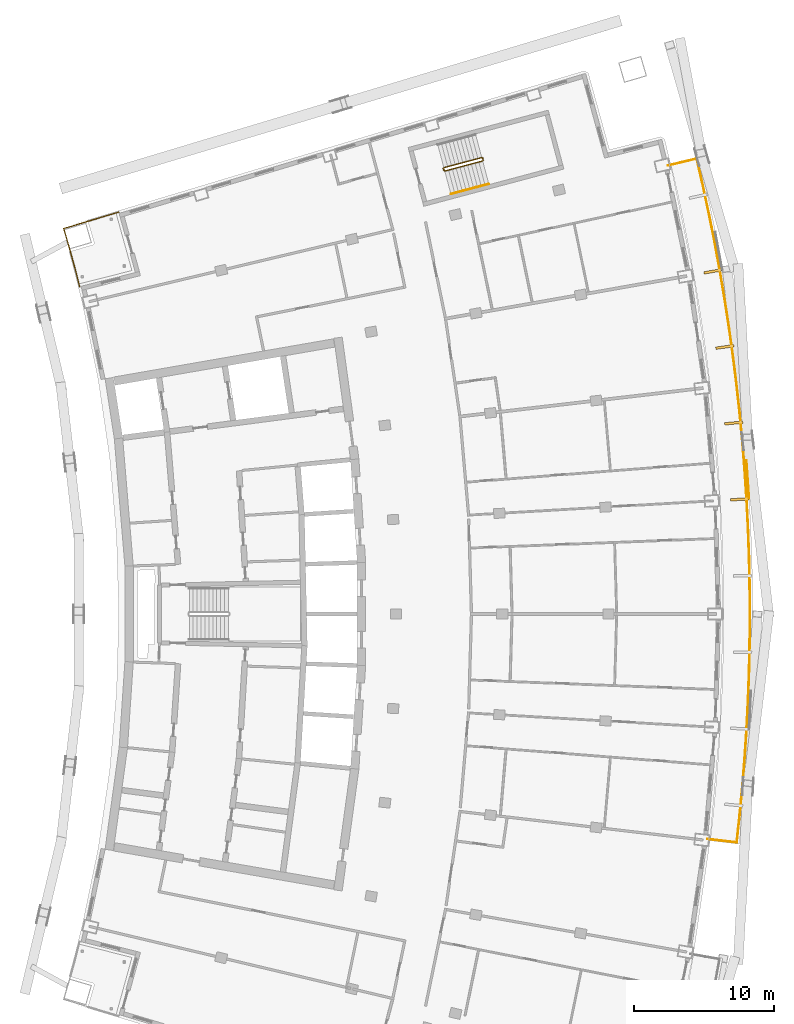
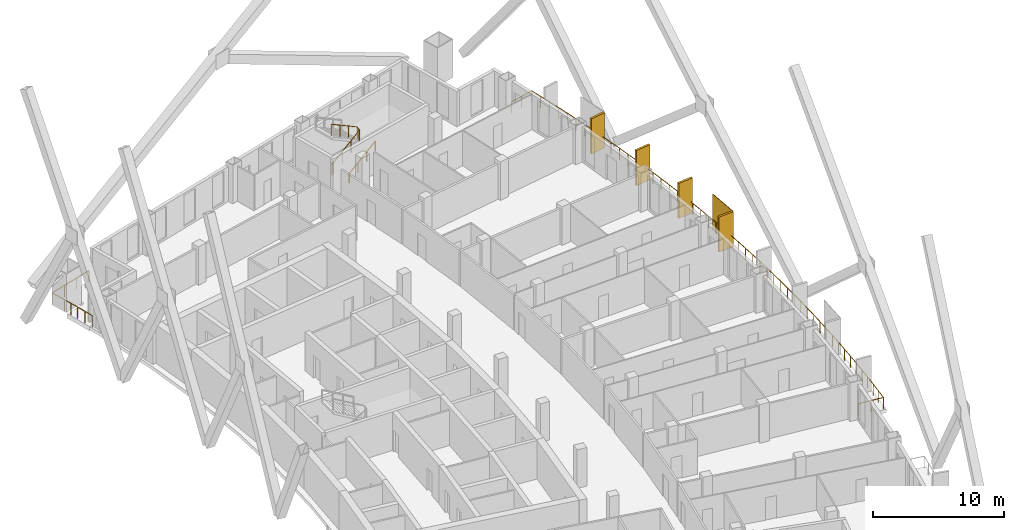
# One storey, part 19 of 20: 5 shading devices, 4 railings.
"""IFC4 building model written with IfcOpenShell, lengths in metres."""

from ifc_helpers import new_model, si_unit, direction, frame, origin, origin_2d, place, context, subcontext, project, spatial, rectangle, extrude, material, layer, layer_set, type_object, element, save


model = new_model("IFC4")

# Units and contexts
model_context = context("Model", 3, precision=1e-05, world=origin(), true_north=direction((0.0, 1.0)))
body_context = subcontext(model_context, "Body", "Model", "MODEL_VIEW")
ifc_project = project(units=[si_unit("LENGTHUNIT", "METRE"), si_unit("AREAUNIT", "SQUARE_METRE"), si_unit("VOLUMEUNIT", "CUBIC_METRE"), si_unit("PLANEANGLEUNIT", "RADIAN"), si_unit("MASSUNIT", "GRAM", prefix="KILO")], contexts=[model_context])

# Site, building, storey
site_placement = place(None, origin())
site = spatial("IfcSite", under=ifc_project, at=site_placement, CompositionType="ELEMENT")
building_placement = place(site_placement, origin())
building = spatial("IfcBuilding", under=site, at=building_placement, Name="Alderwake Tower", CompositionType="ELEMENT")
storey_placement = place(building_placement, frame((0.0, 0.0, 189.199951171875)))
storey = spatial("IfcBuildingStorey", under=building, at=storey_placement, Name="L46", CompositionType="ELEMENT", Elevation=189.199951171875)

# Railings
ifc_material_1 = material(Name="Stainless steel 316 rail and posts", Category="steel")
railing_type_1 = type_object("IfcRailingType", Name="Balcony guard 1100", PredefinedType="GUARDRAIL", material=ifc_material_1)
railing_1_placement = place(storey_placement, frame((58.06640625, 44.91796875, 0.0)))
element("IfcRailing", 1, at=railing_1_placement, inside=storey, type_object=railing_type_1, Name="Guard BF05", PredefinedType="GUARDRAIL", context=body_context, shape_type="SweptSolid", body=[
    extrude(rectangle(XDim=0.048095703125, YDim=0.048095703125, at=origin_2d()), frame((0.0, 0.0, 1.076171875), z_axis=(0.993287203457, -0.115674247125, 0.0), x_axis=(0.115674247125, 0.993287203457, 0.0)), (0.0, 0.0, 1.0), 2.10009765625),
    extrude(rectangle(XDim=0.048095703125, YDim=0.048095703125, at=origin_2d()), frame((2.0859375, -0.242919921875, 1.076171875), z_axis=(0.108871005933, 0.994055885787, 0.0), x_axis=(-0.994055885787, 0.108871005933, 0.0)), (0.0, 0.0, 1.0), 1.957763671875),
    extrude(rectangle(XDim=0.048095703125, YDim=0.048095703125, at=origin_2d()), frame((2.299072265625, 1.703125, 1.076171875), z_axis=(0.094685905036, 0.995507197055, 0.0), x_axis=(-0.995507197055, 0.094685905036, 0.0)), (0.0, 0.0, 1.0), 2.0576171875),
    extrude(rectangle(XDim=0.048095703125, YDim=0.048095703125, at=origin_2d()), frame((2.493896484375, 3.75146484375, 1.076171875), z_axis=(0.080080004355, 0.99678843939, 0.0), x_axis=(-0.99678843939, 0.080080004355, 0.0)), (0.0, 0.0, 1.0), 2.057861328125),
    extrude(rectangle(XDim=0.048095703125, YDim=0.048095703125, at=origin_2d()), frame((2.65869140625, 5.802734375, 1.076171875), z_axis=(0.065621128532, 0.997844610894, 0.0), x_axis=(-0.997844610894, 0.065621128532, 0.0)), (0.0, 0.0, 1.0), 2.057373046875),
    extrude(rectangle(XDim=0.048095703125, YDim=0.048095703125, at=origin_2d()), frame((2.793701171875, 7.855712890625, 1.076171875), z_axis=(0.051014504911, 0.998697912428, 0.0), x_axis=(-0.998697912428, 0.051014504911, 0.0)), (0.0, 0.0, 1.0), 2.057861328125),
    extrude(rectangle(XDim=0.048095703125, YDim=0.048095703125, at=origin_2d()), frame((2.898681640625, 9.910888671875, 1.076171875), z_axis=(0.036423636096, 0.99933643921, 0.0), x_axis=(-0.99933643921, 0.036423636096, 0.0)), (0.0, 0.0, 1.0), 2.057861328125),
    extrude(rectangle(XDim=0.048095703125, YDim=0.048095703125, at=origin_2d()), frame((2.9736328125, 11.96728515625, 1.076171875), z_axis=(0.021831965865, 0.999761654229, 0.0), x_axis=(-0.999761654229, 0.021831965865, 0.0)), (0.0, 0.0, 1.0), 2.0576171875),
    extrude(rectangle(XDim=0.048095703125, YDim=0.048095703125, at=origin_2d()), frame((3.0185546875, 14.0244140625, 1.076171875), z_axis=(0.007356231898, 0.99997294256, 0.0), x_axis=(-0.99997294256, 0.007356231898, 0.0)), (0.0, 0.0, 1.0), 2.0576171875),
    extrude(rectangle(XDim=0.048095703125, YDim=0.048095703125, at=origin_2d()), frame((3.03369140625, 16.08203125, 1.076171875), z_axis=(-0.007356231898, 0.99997294256, 0.0), x_axis=(-0.99997294256, -0.007356231898, 0.0)), (0.0, 0.0, 1.0), 2.0576171875),
    extrude(rectangle(XDim=0.048095703125, YDim=0.048095703125, at=origin_2d()), frame((3.0185546875, 18.1396484375, 1.076171875), z_axis=(-0.021831965865, 0.999761654229, 0.0), x_axis=(-0.999761654229, -0.021831965865, 0.0)), (0.0, 0.0, 1.0), 2.0576171875),
    extrude(rectangle(XDim=0.048095703125, YDim=0.048095703125, at=origin_2d()), frame((2.9736328125, 20.19677734375, 1.076171875), z_axis=(-0.036423636096, 0.99933643921, 0.0), x_axis=(-0.99933643921, -0.036423636096, 0.0)), (0.0, 0.0, 1.0), 2.057861328125),
    extrude(rectangle(XDim=0.048095703125, YDim=0.048095703125, at=origin_2d()), frame((2.898681640625, 22.253173828125, 1.076171875), z_axis=(-0.051014504911, 0.998697912428, 0.0), x_axis=(-0.998697912428, -0.051014504911, 0.0)), (0.0, 0.0, 1.0), 2.057861328125),
    extrude(rectangle(XDim=0.048095703125, YDim=0.048095703125, at=origin_2d()), frame((2.793701171875, 24.308349609375, 1.076171875), z_axis=(-0.065621128532, 0.997844610894, 0.0), x_axis=(-0.997844610894, -0.065621128532, 0.0)), (0.0, 0.0, 1.0), 2.057373046875),
    extrude(rectangle(XDim=0.048095703125, YDim=0.048095703125, at=origin_2d()), frame((2.65869140625, 26.361328125, 1.076171875), z_axis=(-0.080080004355, 0.99678843939, 0.0), x_axis=(-0.99678843939, -0.080080004355, 0.0)), (0.0, 0.0, 1.0), 2.057861328125),
    extrude(rectangle(XDim=0.048095703125, YDim=0.048095703125, at=origin_2d()), frame((2.493896484375, 28.41259765625, 1.076171875), z_axis=(-0.094685905036, 0.995507197055, 0.0), x_axis=(-0.995507197055, -0.094685905036, 0.0)), (0.0, 0.0, 1.0), 2.0576171875),
    extrude(rectangle(XDim=0.048095703125, YDim=0.048095703125, at=origin_2d()), frame((2.299072265625, 30.4609375, 1.076171875), z_axis=(-0.109155256142, 0.994024713001, 0.0), x_axis=(-0.994024713001, -0.109155256142, 0.0)), (0.0, 0.0, 1.0), 2.0576171875),
    extrude(rectangle(XDim=0.048095703125, YDim=0.048095703125, at=origin_2d()), frame((2.074462890625, 32.50634765625, 1.076171875), z_axis=(-0.123625862504, 0.992328900174, 0.0), x_axis=(-0.992328900174, -0.123625862504, 0.0)), (0.0, 0.0, 1.0), 2.057861328125),
    extrude(rectangle(XDim=0.048095703125, YDim=0.048095703125, at=origin_2d()), frame((1.820068359375, 34.54833984375, 1.076171875), z_axis=(-0.138114829641, 0.990416222521, 0.0), x_axis=(-0.990416222521, -0.138114829641, 0.0)), (0.0, 0.0, 1.0), 2.0576171875),
    extrude(rectangle(XDim=0.048095703125, YDim=0.048095703125, at=origin_2d()), frame((1.535888671875, 36.586181640625, 1.076171875), z_axis=(-0.152574252714, 0.988292010192, 0.0), x_axis=(-0.988292010192, -0.152574252714, 0.0)), (0.0, 0.0, 1.0), 2.057861328125),
    extrude(rectangle(XDim=0.048095703125, YDim=0.048095703125, at=origin_2d()), frame((1.221923828125, 38.619873046875, 1.076171875), z_axis=(-0.166938157328, 0.98596736844, 0.0), x_axis=(-0.98596736844, -0.166938157328, 0.0)), (0.0, 0.0, 1.0), 2.0576171875),
    extrude(rectangle(XDim=0.048095703125, YDim=0.048095703125, at=origin_2d()), frame((0.87841796875, 40.648681640625, 1.076171875), z_axis=(-0.181171488795, 0.983451519724, 0.0), x_axis=(-0.983451519724, -0.181171488795, 0.0)), (0.0, 0.0, 1.0), 2.0576171875),
    extrude(rectangle(XDim=0.048095703125, YDim=0.048095703125, at=origin_2d()), frame((0.505615234375, 42.67236328125, 1.076171875), z_axis=(-0.195659753975, 0.980671841481, 0.0), x_axis=(-0.980671841481, -0.195659753975, 0.0)), (0.0, 0.0, 1.0), 2.0576171875),
    extrude(rectangle(XDim=0.048095703125, YDim=0.048095703125, at=origin_2d()), frame((0.10302734375, 44.690185546875, 1.076171875), z_axis=(-0.209877477425, 0.977727694437, 0.0), x_axis=(-0.977727694437, -0.209877477425, 0.0)), (0.0, 0.0, 1.0), 2.057861328125),
    extrude(rectangle(XDim=0.048095703125, YDim=0.048095703125, at=origin_2d()), frame((-0.328857421875, 46.7021484375, 1.076171875), z_axis=(-0.223857490516, 0.974621887677, 0.0), x_axis=(-0.974621887677, -0.223857490516, 0.0)), (0.0, 0.0, 1.0), 1.95751953125),
    extrude(rectangle(XDim=0.048095703125, YDim=0.048095703125, at=origin_2d()), frame((-0.76708984375, 48.610107421875, 1.076171875), z_axis=(-0.973057638874, -0.230561990427, 0.0), x_axis=(0.230561990427, -0.973057638874, 0.0)), (0.0, 0.0, 1.0), 2.099853515625),
    extrude(rectangle(XDim=0.0419921875, YDim=0.0419921875, at=origin_2d()), frame((0.0, 0.0, 0.0), z_axis=(0.0, 0.0, 1.0), x_axis=(0.993287203457, -0.115674247125, 0.0)), (0.0, 0.0, 1.0), 1.052001953125),
    extrude(rectangle(XDim=0.0419921875, YDim=0.0419921875, at=origin_2d()), frame((1.04296875, -0.12158203125, 0.0), z_axis=(0.0, 0.0, 1.0), x_axis=(0.993287203457, -0.115674247125, 0.0)), (0.0, 0.0, 1.0), 1.052001953125),
    extrude(rectangle(XDim=0.0419921875, YDim=0.0419921875, at=origin_2d()), frame((2.0859375, -0.242919921875, 0.0), z_axis=(0.0, 0.0, 1.0), x_axis=(0.108871005933, 0.994055885787, 0.0)), (0.0, 0.0, 1.0), 1.052001953125),
    extrude(rectangle(XDim=0.0419921875, YDim=0.0419921875, at=origin_2d()), frame((2.1923828125, 0.72998046875, 0.0), z_axis=(0.0, 0.0, 1.0), x_axis=(0.108871005933, 0.994055885787, 0.0)), (0.0, 0.0, 1.0), 1.052001953125),
    extrude(rectangle(XDim=0.0419921875, YDim=0.0419921875, at=origin_2d()), frame((2.299072265625, 1.703125, 0.0), z_axis=(0.0, 0.0, 1.0), x_axis=(0.094685905036, 0.995507197055, 0.0)), (0.0, 0.0, 1.0), 1.052001953125),
    extrude(rectangle(XDim=0.0419921875, YDim=0.0419921875, at=origin_2d()), frame((2.396484375, 2.727294921875, 0.0), z_axis=(0.0, 0.0, 1.0), x_axis=(0.094685905036, 0.995507197055, 0.0)), (0.0, 0.0, 1.0), 1.052001953125),
    extrude(rectangle(XDim=0.0419921875, YDim=0.0419921875, at=origin_2d()), frame((2.493896484375, 3.75146484375, 0.0), z_axis=(0.0, 0.0, 1.0), x_axis=(0.080080004355, 0.99678843939, 0.0)), (0.0, 0.0, 1.0), 1.052001953125),
    extrude(rectangle(XDim=0.0419921875, YDim=0.0419921875, at=origin_2d()), frame((2.576171875, 4.777099609375, 0.0), z_axis=(0.0, 0.0, 1.0), x_axis=(0.080080004355, 0.99678843939, 0.0)), (0.0, 0.0, 1.0), 1.052001953125),
    extrude(rectangle(XDim=0.0419921875, YDim=0.0419921875, at=origin_2d()), frame((2.65869140625, 5.802734375, 0.0), z_axis=(0.0, 0.0, 1.0), x_axis=(0.065621128532, 0.997844610894, 0.0)), (0.0, 0.0, 1.0), 1.052001953125),
    extrude(rectangle(XDim=0.0419921875, YDim=0.0419921875, at=origin_2d()), frame((2.72607421875, 6.8291015625, 0.0), z_axis=(0.0, 0.0, 1.0), x_axis=(0.065621128532, 0.997844610894, 0.0)), (0.0, 0.0, 1.0), 1.052001953125),
    extrude(rectangle(XDim=0.0419921875, YDim=0.0419921875, at=origin_2d()), frame((2.793701171875, 7.855712890625, 0.0), z_axis=(0.0, 0.0, 1.0), x_axis=(0.051014504911, 0.998697912428, 0.0)), (0.0, 0.0, 1.0), 1.052001953125),
    extrude(rectangle(XDim=0.0419921875, YDim=0.0419921875, at=origin_2d()), frame((2.84619140625, 8.88330078125, 0.0), z_axis=(0.0, 0.0, 1.0), x_axis=(0.051014504911, 0.998697912428, 0.0)), (0.0, 0.0, 1.0), 1.052001953125),
    extrude(rectangle(XDim=0.0419921875, YDim=0.0419921875, at=origin_2d()), frame((2.898681640625, 9.910888671875, 0.0), z_axis=(0.0, 0.0, 1.0), x_axis=(0.036423636096, 0.99933643921, 0.0)), (0.0, 0.0, 1.0), 1.052001953125),
    extrude(rectangle(XDim=0.0419921875, YDim=0.0419921875, at=origin_2d()), frame((2.93603515625, 10.93896484375, 0.0), z_axis=(0.0, 0.0, 1.0), x_axis=(0.036423636096, 0.99933643921, 0.0)), (0.0, 0.0, 1.0), 1.052001953125),
    extrude(rectangle(XDim=0.0419921875, YDim=0.0419921875, at=origin_2d()), frame((2.9736328125, 11.96728515625, 0.0), z_axis=(0.0, 0.0, 1.0), x_axis=(0.021831965865, 0.999761654229, 0.0)), (0.0, 0.0, 1.0), 1.052001953125),
    extrude(rectangle(XDim=0.0419921875, YDim=0.0419921875, at=origin_2d()), frame((2.99609375, 12.995849609375, 0.0), z_axis=(0.0, 0.0, 1.0), x_axis=(0.021831965865, 0.999761654229, 0.0)), (0.0, 0.0, 1.0), 1.052001953125),
    extrude(rectangle(XDim=0.0419921875, YDim=0.0419921875, at=origin_2d()), frame((3.0185546875, 14.0244140625, 0.0), z_axis=(0.0, 0.0, 1.0), x_axis=(0.007356231898, 0.99997294256, 0.0)), (0.0, 0.0, 1.0), 1.052001953125),
    extrude(rectangle(XDim=0.0419921875, YDim=0.0419921875, at=origin_2d()), frame((3.026123046875, 15.05322265625, 0.0), z_axis=(0.0, 0.0, 1.0), x_axis=(0.007356231898, 0.99997294256, 0.0)), (0.0, 0.0, 1.0), 1.052001953125),
    extrude(rectangle(XDim=0.0419921875, YDim=0.0419921875, at=origin_2d()), frame((3.03369140625, 16.08203125, 0.0), z_axis=(0.0, 0.0, 1.0), x_axis=(-0.007356231898, 0.99997294256, 0.0)), (0.0, 0.0, 1.0), 1.052001953125),
    extrude(rectangle(XDim=0.0419921875, YDim=0.0419921875, at=origin_2d()), frame((3.026123046875, 17.11083984375, 0.0), z_axis=(0.0, 0.0, 1.0), x_axis=(-0.007356231898, 0.99997294256, 0.0)), (0.0, 0.0, 1.0), 1.052001953125),
    extrude(rectangle(XDim=0.0419921875, YDim=0.0419921875, at=origin_2d()), frame((3.0185546875, 18.1396484375, 0.0), z_axis=(0.0, 0.0, 1.0), x_axis=(-0.021831965865, 0.999761654229, 0.0)), (0.0, 0.0, 1.0), 1.052001953125),
    extrude(rectangle(XDim=0.0419921875, YDim=0.0419921875, at=origin_2d()), frame((2.99609375, 19.168212890625, 0.0), z_axis=(0.0, 0.0, 1.0), x_axis=(-0.021831965865, 0.999761654229, 0.0)), (0.0, 0.0, 1.0), 1.052001953125),
    extrude(rectangle(XDim=0.0419921875, YDim=0.0419921875, at=origin_2d()), frame((2.9736328125, 20.19677734375, 0.0), z_axis=(0.0, 0.0, 1.0), x_axis=(-0.036423636096, 0.99933643921, 0.0)), (0.0, 0.0, 1.0), 1.052001953125),
    extrude(rectangle(XDim=0.0419921875, YDim=0.0419921875, at=origin_2d()), frame((2.93603515625, 21.22509765625, 0.0), z_axis=(0.0, 0.0, 1.0), x_axis=(-0.036423636096, 0.99933643921, 0.0)), (0.0, 0.0, 1.0), 1.052001953125),
    extrude(rectangle(XDim=0.0419921875, YDim=0.0419921875, at=origin_2d()), frame((2.898681640625, 22.253173828125, 0.0), z_axis=(0.0, 0.0, 1.0), x_axis=(-0.051014504911, 0.998697912428, 0.0)), (0.0, 0.0, 1.0), 1.052001953125),
    extrude(rectangle(XDim=0.0419921875, YDim=0.0419921875, at=origin_2d()), frame((2.84619140625, 23.28076171875, 0.0), z_axis=(0.0, 0.0, 1.0), x_axis=(-0.051014504911, 0.998697912428, 0.0)), (0.0, 0.0, 1.0), 1.052001953125),
    extrude(rectangle(XDim=0.0419921875, YDim=0.0419921875, at=origin_2d()), frame((2.793701171875, 24.308349609375, 0.0), z_axis=(0.0, 0.0, 1.0), x_axis=(-0.065621128532, 0.997844610894, 0.0)), (0.0, 0.0, 1.0), 1.052001953125),
    extrude(rectangle(XDim=0.0419921875, YDim=0.0419921875, at=origin_2d()), frame((2.72607421875, 25.3349609375, 0.0), z_axis=(0.0, 0.0, 1.0), x_axis=(-0.065621128532, 0.997844610894, 0.0)), (0.0, 0.0, 1.0), 1.052001953125),
    extrude(rectangle(XDim=0.0419921875, YDim=0.0419921875, at=origin_2d()), frame((2.65869140625, 26.361328125, 0.0), z_axis=(0.0, 0.0, 1.0), x_axis=(-0.080080004355, 0.99678843939, 0.0)), (0.0, 0.0, 1.0), 1.052001953125),
    extrude(rectangle(XDim=0.0419921875, YDim=0.0419921875, at=origin_2d()), frame((2.576171875, 27.386962890625, 0.0), z_axis=(0.0, 0.0, 1.0), x_axis=(-0.080080004355, 0.99678843939, 0.0)), (0.0, 0.0, 1.0), 1.052001953125),
    extrude(rectangle(XDim=0.0419921875, YDim=0.0419921875, at=origin_2d()), frame((2.493896484375, 28.41259765625, 0.0), z_axis=(0.0, 0.0, 1.0), x_axis=(-0.094685905036, 0.995507197055, 0.0)), (0.0, 0.0, 1.0), 1.052001953125),
    extrude(rectangle(XDim=0.0419921875, YDim=0.0419921875, at=origin_2d()), frame((2.396484375, 29.436767578125, 0.0), z_axis=(0.0, 0.0, 1.0), x_axis=(-0.094685905036, 0.995507197055, 0.0)), (0.0, 0.0, 1.0), 1.052001953125),
    extrude(rectangle(XDim=0.0419921875, YDim=0.0419921875, at=origin_2d()), frame((2.299072265625, 30.4609375, 0.0), z_axis=(0.0, 0.0, 1.0), x_axis=(-0.109155256142, 0.994024713001, 0.0)), (0.0, 0.0, 1.0), 1.052001953125),
    extrude(rectangle(XDim=0.0419921875, YDim=0.0419921875, at=origin_2d()), frame((2.186767578125, 31.483642578125, 0.0), z_axis=(0.0, 0.0, 1.0), x_axis=(-0.109155256142, 0.994024713001, 0.0)), (0.0, 0.0, 1.0), 1.052001953125),
    extrude(rectangle(XDim=0.0419921875, YDim=0.0419921875, at=origin_2d()), frame((2.074462890625, 32.50634765625, 0.0), z_axis=(0.0, 0.0, 1.0), x_axis=(-0.123625862504, 0.992328900174, 0.0)), (0.0, 0.0, 1.0), 1.052001953125),
    extrude(rectangle(XDim=0.0419921875, YDim=0.0419921875, at=origin_2d()), frame((1.947265625, 33.52734375, 0.0), z_axis=(0.0, 0.0, 1.0), x_axis=(-0.123625862504, 0.992328900174, 0.0)), (0.0, 0.0, 1.0), 1.052001953125),
    extrude(rectangle(XDim=0.0419921875, YDim=0.0419921875, at=origin_2d()), frame((1.820068359375, 34.54833984375, 0.0), z_axis=(0.0, 0.0, 1.0), x_axis=(-0.138114829641, 0.990416222521, 0.0)), (0.0, 0.0, 1.0), 1.052001953125),
    extrude(rectangle(XDim=0.0419921875, YDim=0.0419921875, at=origin_2d()), frame((1.677978515625, 35.5673828125, 0.0), z_axis=(0.0, 0.0, 1.0), x_axis=(-0.138114829641, 0.990416222521, 0.0)), (0.0, 0.0, 1.0), 1.052001953125),
    extrude(rectangle(XDim=0.0419921875, YDim=0.0419921875, at=origin_2d()), frame((1.535888671875, 36.586181640625, 0.0), z_axis=(0.0, 0.0, 1.0), x_axis=(-0.152574252714, 0.988292010192, 0.0)), (0.0, 0.0, 1.0), 1.052001953125),
    extrude(rectangle(XDim=0.0419921875, YDim=0.0419921875, at=origin_2d()), frame((1.37890625, 37.60302734375, 0.0), z_axis=(0.0, 0.0, 1.0), x_axis=(-0.152574252714, 0.988292010192, 0.0)), (0.0, 0.0, 1.0), 1.052001953125),
    extrude(rectangle(XDim=0.0419921875, YDim=0.0419921875, at=origin_2d()), frame((1.221923828125, 38.619873046875, 0.0), z_axis=(0.0, 0.0, 1.0), x_axis=(-0.166938157328, 0.98596736844, 0.0)), (0.0, 0.0, 1.0), 1.052001953125),
    extrude(rectangle(XDim=0.0419921875, YDim=0.0419921875, at=origin_2d()), frame((1.05029296875, 39.63427734375, 0.0), z_axis=(0.0, 0.0, 1.0), x_axis=(-0.166938157328, 0.98596736844, 0.0)), (0.0, 0.0, 1.0), 1.052001953125),
    extrude(rectangle(XDim=0.0419921875, YDim=0.0419921875, at=origin_2d()), frame((0.87841796875, 40.648681640625, 0.0), z_axis=(0.0, 0.0, 1.0), x_axis=(-0.181171488795, 0.983451519724, 0.0)), (0.0, 0.0, 1.0), 1.052001953125),
    extrude(rectangle(XDim=0.0419921875, YDim=0.0419921875, at=origin_2d()), frame((0.69189453125, 41.66064453125, 0.0), z_axis=(0.0, 0.0, 1.0), x_axis=(-0.181171488795, 0.983451519724, 0.0)), (0.0, 0.0, 1.0), 1.052001953125),
    extrude(rectangle(XDim=0.0419921875, YDim=0.0419921875, at=origin_2d()), frame((0.505615234375, 42.67236328125, 0.0), z_axis=(0.0, 0.0, 1.0), x_axis=(-0.195659753975, 0.980671841481, 0.0)), (0.0, 0.0, 1.0), 1.052001953125),
    extrude(rectangle(XDim=0.0419921875, YDim=0.0419921875, at=origin_2d()), frame((0.30419921875, 43.68115234375, 0.0), z_axis=(0.0, 0.0, 1.0), x_axis=(-0.195659753975, 0.980671841481, 0.0)), (0.0, 0.0, 1.0), 1.052001953125),
    extrude(rectangle(XDim=0.0419921875, YDim=0.0419921875, at=origin_2d()), frame((0.10302734375, 44.690185546875, 0.0), z_axis=(0.0, 0.0, 1.0), x_axis=(-0.209877477425, 0.977727694437, 0.0)), (0.0, 0.0, 1.0), 1.052001953125),
    extrude(rectangle(XDim=0.0419921875, YDim=0.0419921875, at=origin_2d()), frame((-0.11279296875, 45.6962890625, 0.0), z_axis=(0.0, 0.0, 1.0), x_axis=(-0.209877477425, 0.977727694437, 0.0)), (0.0, 0.0, 1.0), 1.052001953125),
    extrude(rectangle(XDim=0.0419921875, YDim=0.0419921875, at=origin_2d()), frame((-0.328857421875, 46.7021484375, 0.0), z_axis=(0.0, 0.0, 1.0), x_axis=(-0.223857490516, 0.974621887677, 0.0)), (0.0, 0.0, 1.0), 1.052001953125),
    extrude(rectangle(XDim=0.0419921875, YDim=0.0419921875, at=origin_2d()), frame((-0.5478515625, 47.65625, 0.0), z_axis=(0.0, 0.0, 1.0), x_axis=(-0.223857490516, 0.974621887677, 0.0)), (0.0, 0.0, 1.0), 1.052001953125),
    extrude(rectangle(XDim=0.0419921875, YDim=0.0419921875, at=origin_2d()), frame((-0.76708984375, 48.610107421875, 0.0), z_axis=(0.0, 0.0, 1.0), x_axis=(-0.973057638874, -0.230561990427, 0.0)), (0.0, 0.0, 1.0), 1.052001953125),
    extrude(rectangle(XDim=0.0419921875, YDim=0.0419921875, at=origin_2d()), frame((-1.78857421875, 48.3681640625, 0.0), z_axis=(0.0, 0.0, 1.0), x_axis=(-0.973057638874, -0.230561990427, 0.0)), (0.0, 0.0, 1.0), 1.052001953125),
    extrude(rectangle(XDim=0.0419921875, YDim=0.0419921875, at=origin_2d()), frame((-2.810302734375, 48.1259765625, 0.0), z_axis=(0.0, 0.0, 1.0), x_axis=(-0.973057638874, -0.230561990427, 0.0)), (0.0, 0.0, 1.0), 1.052001953125),
])
railing_2_placement = place(storey_placement, frame((13.210693359375, 84.387451171875, 0.0)))
element("IfcRailing", 2, at=railing_2_placement, inside=storey, type_object=railing_type_1, Name="Guard terrace RN", PredefinedType="GUARDRAIL", context=body_context, shape_type="SweptSolid", body=[
    extrude(rectangle(XDim=0.048095703125, YDim=0.048095703125, at=origin_2d()), frame((0.0, 0.0, 1.076171875), z_axis=(-0.251385381433, 0.967887075026, 0.0), x_axis=(-0.967887075026, -0.251385381433, 0.0)), (0.0, 0.0, 1.0), 1.6015625),
    extrude(rectangle(XDim=0.048095703125, YDim=0.048095703125, at=origin_2d()), frame((-0.402587890625, 1.550048828125, 1.076171875), z_axis=(-0.266520638672, 0.963829211615, 0.0), x_axis=(-0.963829211615, -0.266520638672, 0.0)), (0.0, 0.0, 1.0), 1.401611328125),
    extrude(rectangle(XDim=0.048095703125, YDim=0.048095703125, at=origin_2d()), frame((-0.776123046875, 2.90087890625, 1.076171875), z_axis=(-0.280093650878, 0.959972680204, 0.0), x_axis=(-0.959972680204, -0.280093650878, 0.0)), (0.0, 0.0, 1.0), 1.30126953125),
    extrude(rectangle(XDim=0.048095703125, YDim=0.048095703125, at=origin_2d()), frame((-1.140625, 4.150146484375, 1.076171875), z_axis=(0.958066871889, 0.286544706789, 0.0), x_axis=(-0.286544706789, 0.958066871889, 0.0)), (0.0, 0.0, 1.0), 4.099853515625),
    extrude(rectangle(XDim=0.0419921875, YDim=0.0419921875, at=origin_2d()), frame((0.0, 0.0, 0.0), z_axis=(0.0, 0.0, 1.0), x_axis=(-0.251385381433, 0.967887075026, 0.0)), (0.0, 0.0, 1.0), 1.052001953125),
    extrude(rectangle(XDim=0.0419921875, YDim=0.0419921875, at=origin_2d()), frame((-0.201171875, 0.77490234375, 0.0), z_axis=(0.0, 0.0, 1.0), x_axis=(-0.251385381433, 0.967887075026, 0.0)), (0.0, 0.0, 1.0), 1.052001953125),
    extrude(rectangle(XDim=0.0419921875, YDim=0.0419921875, at=origin_2d()), frame((-0.402587890625, 1.550048828125, 0.0), z_axis=(0.0, 0.0, 1.0), x_axis=(-0.266520638672, 0.963829211615, 0.0)), (0.0, 0.0, 1.0), 1.052001953125),
    extrude(rectangle(XDim=0.0419921875, YDim=0.0419921875, at=origin_2d()), frame((-0.58935546875, 2.2255859375, 0.0), z_axis=(0.0, 0.0, 1.0), x_axis=(-0.266520638672, 0.963829211615, 0.0)), (0.0, 0.0, 1.0), 1.052001953125),
    extrude(rectangle(XDim=0.0419921875, YDim=0.0419921875, at=origin_2d()), frame((-0.776123046875, 2.90087890625, 0.0), z_axis=(0.0, 0.0, 1.0), x_axis=(-0.280093650878, 0.959972680204, 0.0)), (0.0, 0.0, 1.0), 1.052001953125),
    extrude(rectangle(XDim=0.0419921875, YDim=0.0419921875, at=origin_2d()), frame((-1.140625, 4.150146484375, 0.0), z_axis=(0.0, 0.0, 1.0), x_axis=(0.958066871889, 0.286544706789, 0.0)), (0.0, 0.0, 1.0), 1.052001953125),
    extrude(rectangle(XDim=0.0419921875, YDim=0.0419921875, at=origin_2d()), frame((0.168701171875, 4.541748046875, 0.0), z_axis=(0.0, 0.0, 1.0), x_axis=(0.958066871889, 0.286544706789, 0.0)), (0.0, 0.0, 1.0), 1.052001953125),
    extrude(rectangle(XDim=0.0419921875, YDim=0.0419921875, at=origin_2d()), frame((1.47802734375, 4.933349609375, 0.0), z_axis=(0.0, 0.0, 1.0), x_axis=(0.958066871889, 0.286544706789, 0.0)), (0.0, 0.0, 1.0), 1.052001953125),
    extrude(rectangle(XDim=0.0419921875, YDim=0.0419921875, at=origin_2d()), frame((2.787353515625, 5.324951171875, 0.0), z_axis=(0.0, 0.0, 1.0), x_axis=(0.958066871889, 0.286544706789, 0.0)), (0.0, 0.0, 1.0), 1.052001953125),
])

# Shading devices
ifc_material_2 = material(Name="Bronze anodised aluminium", Category="aluminium")
ifc_layer_1 = layer(ifc_material_2, 0.179931640625)
ifc_layer_set_1 = layer_set([ifc_layer_1], Name="Facade fin 1300")
shading_device_type_1 = type_object("IfcShadingDeviceType", Name="Facade fin 1300", PredefinedType="USERDEFINED", material=ifc_layer_set_1)
for number, where, z_axis, x_axis, name in (
    (3, (60.361083984375, 69.1923828125, 0.0), (0.0, 0.0, 1.0), (0.998301080988, 0.058266214038, 0.0), "Fin"),
    (4, (59.936279296875, 74.644775390625, 0.0), (0.0, 0.0, 1.0), (0.995279882363, 0.097046152751, 0.0), "Fin"),
    (5, (59.2998046875, 80.07666015625, 0.0), (0.0, 0.0, 1.0), (0.990752577235, 0.135680988728, 0.0), "Fin"),
    (6, (58.45263671875, 85.4794921875, 0.0), (0.0, 0.0, 1.0), (0.984726421654, 0.174108800747, 0.0), "Fin"),
):
    element("IfcShadingDevice", number, at=place(storey_placement, frame(where, z_axis=z_axis, x_axis=x_axis)), inside=storey, type_object=shading_device_type_1, Name=name, ObjectType="FIN", PredefinedType="USERDEFINED", context=body_context, shape_type="SweptSolid", body=[
        extrude(rectangle(XDim=1.300048828125, YDim=0.179931640625, at=origin_2d()), origin(), (0.0, 0.0, 1.0), 3.280029296875),
    ])
ifc_material_3 = material(Name="Perforated bronze anodised aluminium", Category="aluminium")
ifc_layer_2 = layer(ifc_material_3, 0.050048828125)
ifc_layer_set_2 = layer_set([ifc_layer_2], Name="Perforated screen panel")
shading_device_type_2 = type_object("IfcShadingDeviceType", Name="Perforated screen panel", PredefinedType="USERDEFINED", material=ifc_layer_set_2)
shading_device_placement = place(storey_placement, frame((60.94140625, 70.60595703125, 0.0), z_axis=(0.0, 0.0, 1.0), x_axis=(0.997685465774, 0.067997877779, 0.0)))
element("IfcShadingDevice", 7, at=shading_device_placement, inside=storey, type_object=shading_device_type_2, Name="Screen panel", ObjectType="SCREEN", PredefinedType="USERDEFINED", context=body_context, shape_type="SweptSolid", body=[
    extrude(rectangle(XDim=0.050048828125, YDim=2.7548828125, at=origin_2d()), origin(), (0.0, 0.0, 1.0), 3.280029296875),
])

# Railings
ifc_material_4 = material(Name="Stainless steel guard", Category="steel")
railing_type_2 = type_object("IfcRailingType", Name="Stair guard 1100", PredefinedType="GUARDRAIL", material=ifc_material_4)
railing_3_placement = place(storey_placement, frame((39.23291015625, 92.6806640625, 0.0)))
element("IfcRailing", 8, at=railing_3_placement, inside=storey, type_object=railing_type_2, Name="L46 ST-A stair guard 1", PredefinedType="GUARDRAIL", context=body_context, shape_type="SweptSolid", body=[
    extrude(rectangle(XDim=0.048095703125, YDim=0.048095703125, at=origin_2d()), frame((0.0, 0.0, 1.076171875), z_axis=(-0.257055032184, 0.966396766566, 0.0), x_axis=(-0.966396766566, -0.257055032184, 0.0)), (0.0, 0.0, 1.0), 0.150146484375),
    extrude(rectangle(XDim=0.048095703125, YDim=0.048095703125, at=origin_2d()), frame((-0.03857421875, 0.14501953125, 1.076171875), z_axis=(0.379370725808, -0.685464465458, 0.621463047167), x_axis=(0.874937996095, 0.484234966715, 0.0)), (0.0, 0.0, 1.0), 0.26318359375),
    extrude(rectangle(XDim=0.048095703125, YDim=0.048095703125, at=origin_2d()), frame((0.061279296875, -0.035400390625, 1.23974609375), z_axis=(0.834258940753, 0.22222815314, 0.504605457487), x_axis=(-0.257402139082, 0.966304371715, 0.0)), (0.0, 0.0, 1.0), 3.2431640625),
    extrude(rectangle(XDim=0.048095703125, YDim=0.048095703125, at=origin_2d()), frame((2.766845703125, 0.685302734375, 2.8759765625), z_axis=(0.500220121494, 0.865898279276, 0.0), x_axis=(-0.865898279276, 0.500220121494, 0.0)), (0.0, 0.0, 1.0), 0.07080078125),
    extrude(rectangle(XDim=0.048095703125, YDim=0.048095703125, at=origin_2d()), frame((2.80224609375, 0.74658203125, 2.8759765625), z_axis=(-0.257459803502, 0.966289009345, 0.0), x_axis=(-0.966289009345, -0.257459803502, 0.0)), (0.0, 0.0, 1.0), 0.14990234375),
    extrude(rectangle(XDim=0.048095703125, YDim=0.048095703125, at=origin_2d()), frame((2.763671875, 0.891357421875, 2.8759765625), z_axis=(-0.34252489212, 0.200034536998, 0.917966710881), x_axis=(-0.504300490226, -0.863528236688, 0.0)), (0.0, 0.0, 1.0), 0.17822265625),
    extrude(rectangle(XDim=0.048095703125, YDim=0.048095703125, at=origin_2d()), frame((2.70263671875, 0.927001953125, 3.03955078125), z_axis=(-0.834281824786, -0.222214197128, 0.504573768072), x_axis=(0.257380452725, -0.966310148221, 0.0)), (0.0, 0.0, 1.0), 3.2431640625),
    extrude(rectangle(XDim=0.0419921875, YDim=0.0419921875, at=origin_2d()), frame((0.0, 0.0, 0.0), z_axis=(0.0, 0.0, 1.0), x_axis=(-0.257055032184, 0.966396766566, 0.0)), (0.0, 0.0, 1.0), 1.052001953125),
    extrude(rectangle(XDim=0.0419921875, YDim=0.0419921875, at=origin_2d()), frame((-0.03857421875, 0.14501953125, 0.0), z_axis=(0.0, 0.0, 1.0), x_axis=(0.484234966715, -0.874937996095, 0.0)), (0.0, 0.0, 1.0), 1.052001953125),
    extrude(rectangle(XDim=0.0419921875, YDim=0.0419921875, at=origin_2d()), frame((0.061279296875, -0.035400390625, 0.16357421875), z_axis=(0.0, 0.0, 1.0), x_axis=(0.966304371715, 0.257402139082, 0.0)), (0.0, 0.0, 1.0), 1.052001953125),
    extrude(rectangle(XDim=0.0419921875, YDim=0.0419921875, at=origin_2d()), frame((0.963134765625, 0.204833984375, 0.708984375), z_axis=(0.0, 0.0, 1.0), x_axis=(0.966304371715, 0.257402139082, 0.0)), (0.0, 0.0, 1.0), 1.052001953125),
    extrude(rectangle(XDim=0.0419921875, YDim=0.0419921875, at=origin_2d()), frame((1.864990234375, 0.445068359375, 1.254638671875), z_axis=(0.0, 0.0, 1.0), x_axis=(0.966304371715, 0.257402139082, 0.0)), (0.0, 0.0, 1.0), 1.052001953125),
    extrude(rectangle(XDim=0.0419921875, YDim=0.0419921875, at=origin_2d()), frame((2.766845703125, 0.685302734375, 1.800048828125), z_axis=(0.0, 0.0, 1.0), x_axis=(0.500220121494, 0.865898279276, 0.0)), (0.0, 0.0, 1.0), 1.052001953125),
    extrude(rectangle(XDim=0.0419921875, YDim=0.0419921875, at=origin_2d()), frame((2.80224609375, 0.74658203125, 1.800048828125), z_axis=(0.0, 0.0, 1.0), x_axis=(-0.257459803502, 0.966289009345, 0.0)), (0.0, 0.0, 1.0), 1.052001953125),
    extrude(rectangle(XDim=0.0419921875, YDim=0.0419921875, at=origin_2d()), frame((2.763671875, 0.891357421875, 1.800048828125), z_axis=(0.0, 0.0, 1.0), x_axis=(-0.863528236688, 0.504300490226, 0.0)), (0.0, 0.0, 1.0), 1.052001953125),
    extrude(rectangle(XDim=0.0419921875, YDim=0.0419921875, at=origin_2d()), frame((2.70263671875, 0.927001953125, 1.963623046875), z_axis=(0.0, 0.0, 1.0), x_axis=(-0.966310148221, -0.257380452725, 0.0)), (0.0, 0.0, 1.0), 1.052001953125),
    extrude(rectangle(XDim=0.0419921875, YDim=0.0419921875, at=origin_2d()), frame((1.80078125, 0.686767578125, 2.509033203125), z_axis=(0.0, 0.0, 1.0), x_axis=(-0.966310148221, -0.257380452725, 0.0)), (0.0, 0.0, 1.0), 1.052001953125),
    extrude(rectangle(XDim=0.0419921875, YDim=0.0419921875, at=origin_2d()), frame((0.898681640625, 0.446533203125, 3.0546875), z_axis=(0.0, 0.0, 1.0), x_axis=(-0.966310148221, -0.257380452725, 0.0)), (0.0, 0.0, 1.0), 1.052001953125),
    extrude(rectangle(XDim=0.0419921875, YDim=0.0419921875, at=origin_2d()), frame((-0.003173828125, 0.206298828125, 3.60009765625), z_axis=(0.0, 0.0, 1.0), x_axis=(-0.966310148221, -0.257380452725, 0.0)), (0.0, 0.0, 1.0), 1.052001953125),
])
ifc_material_5 = material(Name="Stainless steel handrail", Category="steel")
railing_type_3 = type_object("IfcRailingType", Name="Stair handrail 900", PredefinedType="HANDRAIL", material=ifc_material_5)
railing_4_placement = place(storey_placement, frame((39.731689453125, 91.002685546875, 0.16357421875)))
element("IfcRailing", 9, at=railing_4_placement, inside=storey, type_object=railing_type_3, Name="L46 ST-A stair handrail 1", PredefinedType="HANDRAIL", context=body_context, shape_type="SweptSolid", body=[
    extrude(rectangle(XDim=0.048095703125, YDim=0.048095703125, at=origin_2d()), frame((0.0, 0.0, 0.8759765625), z_axis=(0.834258940753, 0.22222815314, 0.504605457487), x_axis=(-0.257402139082, 0.966304371715, 0.0)), (0.0, 0.0, 1.0), 3.2431640625),
    extrude(rectangle(XDim=0.0419921875, YDim=0.0419921875, at=origin_2d()), frame((0.0, 0.0, 0.0), z_axis=(0.0, 0.0, 1.0), x_axis=(0.966304371715, 0.257402139082, 0.0)), (0.0, 0.0, 1.0), 0.851806640625),
    extrude(rectangle(XDim=0.0419921875, YDim=0.0419921875, at=origin_2d()), frame((0.90185546875, 0.240234375, 0.54541015625), z_axis=(0.0, 0.0, 1.0), x_axis=(0.966304371715, 0.257402139082, 0.0)), (0.0, 0.0, 1.0), 0.851806640625),
    extrude(rectangle(XDim=0.0419921875, YDim=0.0419921875, at=origin_2d()), frame((1.8037109375, 0.48046875, 1.091064453125), z_axis=(0.0, 0.0, 1.0), x_axis=(0.966304371715, 0.257402139082, 0.0)), (0.0, 0.0, 1.0), 0.851806640625),
    extrude(rectangle(XDim=0.0419921875, YDim=0.0419921875, at=origin_2d()), frame((2.70556640625, 0.720703125, 1.636474609375), z_axis=(0.0, 0.0, 1.0), x_axis=(0.966304371715, 0.257402139082, 0.0)), (0.0, 0.0, 1.0), 0.851806640625),
])

save(model, "model.ifc")
